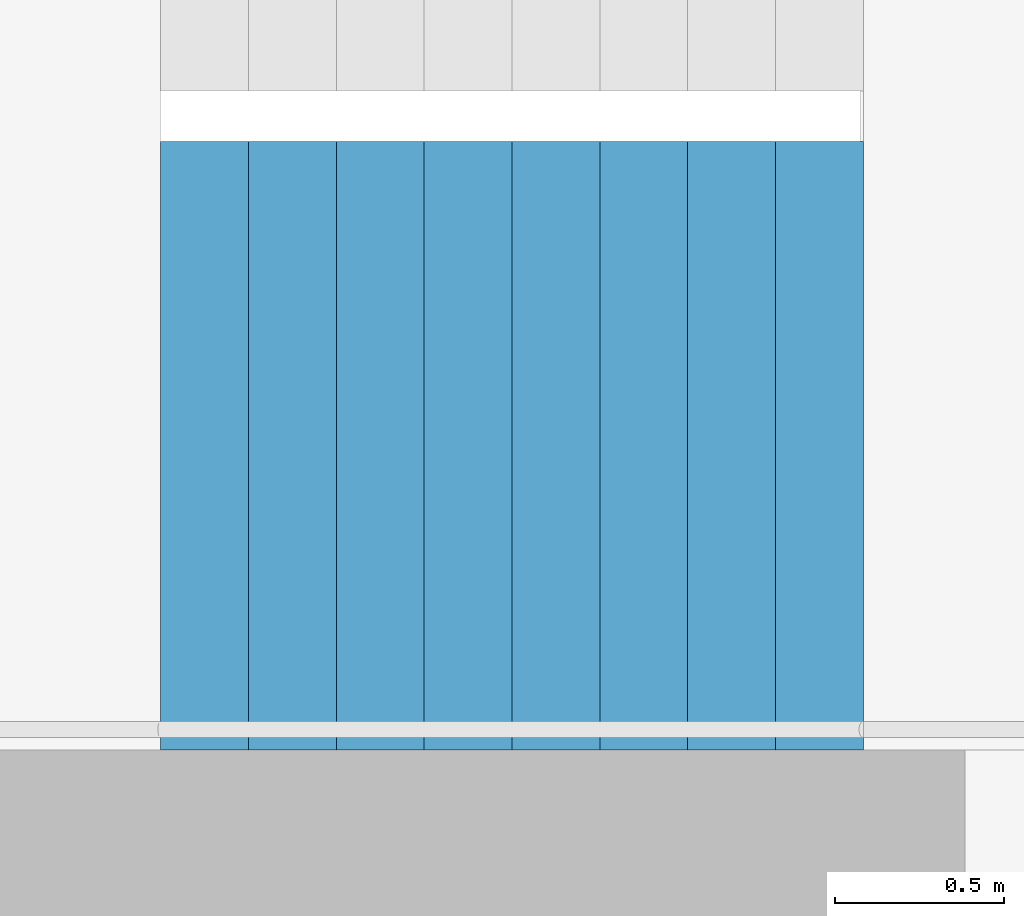
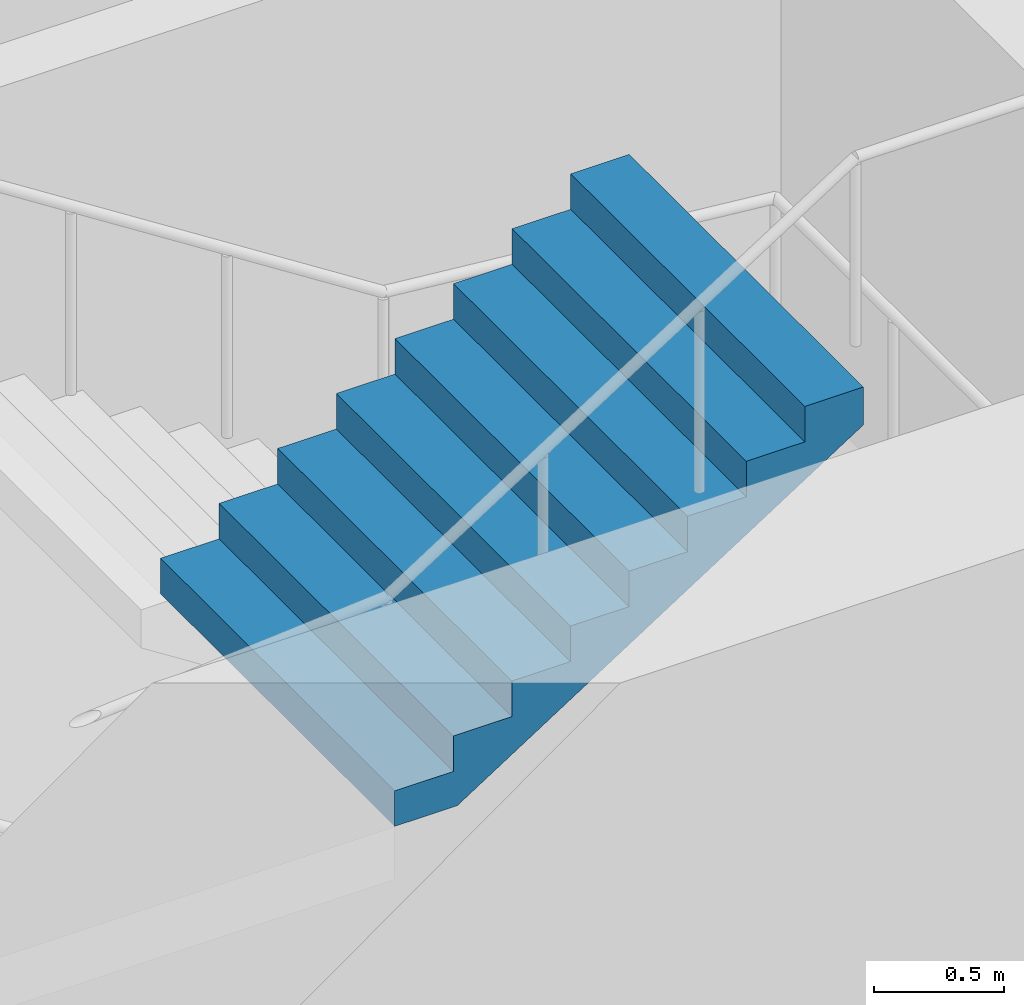
# One storey, part 19 of 35: 1 stair flight, 1 element without a shape of its own.
"""IFC4 building model written with IfcOpenShell, lengths in metres."""

from ifc_helpers import new_model, si_unit, direction, frame, origin, place, context, subcontext, project, spatial, triangles, material, type_object, element, aggregate, save


model = new_model("IFC4")

# Units and contexts
model_context = context("Model", 3, precision=1e-05, world=origin(), true_north=direction((0.0, 1.0)))
body_context = subcontext(model_context, "Body", "Model", "MODEL_VIEW")
ifc_project = project(units=[si_unit("LENGTHUNIT", "METRE"), si_unit("AREAUNIT", "SQUARE_METRE"), si_unit("VOLUMEUNIT", "CUBIC_METRE"), si_unit("PLANEANGLEUNIT", "RADIAN"), si_unit("MASSUNIT", "GRAM", prefix="KILO")], contexts=[model_context])

# Site, building, storey
site_placement = place(None, origin())
site = spatial("IfcSite", under=ifc_project, at=site_placement, CompositionType="ELEMENT")
building_placement = place(site_placement, origin())
building = spatial("IfcBuilding", under=site, at=building_placement, Name="Hakoniwa Tower and Hamabe Station Hall", CompositionType="ELEMENT")
storey_placement = place(building_placement, frame((0.0, 0.0, 264.60009765625)))
storey = spatial("IfcBuildingStorey", under=building, at=storey_placement, Name="L75", CompositionType="ELEMENT", Elevation=264.60009765625)

# Stair, stair flight
ifc_material_1 = material(Name="Concrete C40", Category="concrete")
stair_type = type_object("IfcStairType", Name="ESCAPE STAIR 1800", PredefinedType="HALF_TURN_STAIR", material=ifc_material_1)
stair_placement = place(storey_placement, origin())
stair = element("IfcStair", 1, at=stair_placement, inside=storey, type_object=stair_type, Name="Escape stair ST-2 L75", PredefinedType="HALF_TURN_STAIR")
ifc_material_2 = material(Name="Concrete C40", Category="concrete")
stair_flight_type = type_object("IfcStairFlightType", Name="STAIR FLIGHT 1800", PredefinedType="STRAIGHT", material=ifc_material_2)
stair_flight_placement = place(storey_placement, frame((-25.47998046875, -6.60009765625, 4.5), z_axis=(0.0, 0.0, 1.0), x_axis=(1.0, 0.0, 0.0)))
stair_flight = element("IfcStairFlight", 2, at=stair_flight_placement, type_object=stair_flight_type, Name="ST-2 flight 4", NumberOfRisers=9, NumberOfTreads=8, PredefinedType="STRAIGHT", RiserHeight=0.166666667, TreadLength=0.26, context=body_context, shape_type="Tessellation", body=[
    triangles([(0.0, 0.89990234375, 0.0), (0.260009765625, 0.89990234375, 0.0), (0.27783203125, 0.89990234375, 0.0), (0.52001953125, 0.89990234375, 0.1552734375), (0.780029296875, 0.89990234375, 0.322021484375), (1.0400390625, 0.89990234375, 0.488525390625), (1.300048828125, 0.89990234375, 0.6552734375), (1.56005859375, 0.89990234375, 0.822021484375), (1.820068359375, 0.89990234375, 0.988525390625), (2.080078125, 0.89990234375, 1.1552734375), (2.080078125, 0.89990234375, 1.333251953125), (1.820068359375, 0.89990234375, 1.333251953125), (1.820068359375, 0.89990234375, 1.166748046875), (1.56005859375, 0.89990234375, 1.166748046875), (1.56005859375, 0.89990234375, 1.0), (1.300048828125, 0.89990234375, 1.0), (1.300048828125, 0.89990234375, 0.833251953125), (1.0400390625, 0.89990234375, 0.833251953125), (1.0400390625, 0.89990234375, 0.666748046875), (0.780029296875, 0.89990234375, 0.666748046875), (0.780029296875, 0.89990234375, 0.5), (0.52001953125, 0.89990234375, 0.5), (0.52001953125, 0.89990234375, 0.333251953125), (0.27783203125, 0.89990234375, 0.333251953125), (0.260009765625, 0.89990234375, 0.333251953125), (0.260009765625, 0.89990234375, 0.166748046875), (0.0, 0.89990234375, 0.166748046875), (0.0, 0.06005859375, 0.0), (0.260009765625, 0.06005859375, 0.0), (0.27783203125, 0.06005859375, 0.0), (0.52001953125, 0.06005859375, 0.1552734375), (0.780029296875, 0.06005859375, 0.322021484375), (1.0400390625, 0.06005859375, 0.488525390625), (1.300048828125, 0.06005859375, 0.6552734375), (1.56005859375, 0.06005859375, 0.822021484375), (1.820068359375, 0.06005859375, 0.988525390625), (2.080078125, 0.06005859375, 1.1552734375), (2.080078125, 0.06005859375, 1.333251953125), (1.820068359375, 0.06005859375, 1.333251953125), (1.820068359375, 0.06005859375, 1.166748046875), (1.56005859375, 0.06005859375, 1.166748046875), (1.56005859375, 0.06005859375, 1.0), (1.300048828125, 0.06005859375, 1.0), (1.300048828125, 0.06005859375, 0.833251953125), (1.0400390625, 0.06005859375, 0.833251953125), (1.0400390625, 0.06005859375, 0.666748046875), (0.780029296875, 0.06005859375, 0.666748046875), (0.780029296875, 0.06005859375, 0.5), (0.52001953125, 0.06005859375, 0.5), (0.52001953125, 0.06005859375, 0.333251953125), (0.27783203125, 0.06005859375, 0.333251953125), (0.260009765625, 0.06005859375, 0.333251953125), (0.260009765625, 0.06005859375, 0.166748046875), (0.0, 0.06005859375, 0.166748046875), (0.0, 0.04296875, 0.0), (0.260009765625, 0.04296875, 0.0), (0.27783203125, 0.04296875, 0.0), (0.52001953125, 0.04296875, 0.1552734375), (0.780029296875, 0.04296875, 0.322021484375), (1.0400390625, 0.04296875, 0.488525390625), (1.300048828125, 0.04296875, 0.6552734375), (1.56005859375, 0.04296875, 0.822021484375), (1.820068359375, 0.04296875, 0.988525390625), (2.080078125, 0.04296875, 1.1552734375), (2.080078125, 0.04296875, 1.333251953125), (1.820068359375, 0.04296875, 1.333251953125), (1.820068359375, 0.04296875, 1.166748046875), (1.56005859375, 0.04296875, 1.166748046875), (1.56005859375, 0.04296875, 1.0), (1.300048828125, 0.04296875, 1.0), (1.300048828125, 0.04296875, 0.833251953125), (1.0400390625, 0.04296875, 0.833251953125), (1.0400390625, 0.04296875, 0.666748046875), (0.780029296875, 0.04296875, 0.666748046875), (0.780029296875, 0.04296875, 0.5), (0.52001953125, 0.04296875, 0.5), (0.52001953125, 0.04296875, 0.333251953125), (0.27783203125, 0.04296875, 0.333251953125), (0.260009765625, 0.04296875, 0.333251953125), (0.260009765625, 0.04296875, 0.166748046875), (0.0, 0.04296875, 0.166748046875), (0.0, 0.025634765625, 0.0), (0.260009765625, 0.025634765625, 0.0), (0.27783203125, 0.025634765625, 0.0), (0.52001953125, 0.025634765625, 0.1552734375), (0.780029296875, 0.025634765625, 0.322021484375), (1.0400390625, 0.025634765625, 0.488525390625), (1.300048828125, 0.025634765625, 0.6552734375), (1.56005859375, 0.025634765625, 0.822021484375), (1.820068359375, 0.025634765625, 0.988525390625), (2.080078125, 0.025634765625, 1.1552734375), (2.080078125, 0.025634765625, 1.333251953125), (1.820068359375, 0.025634765625, 1.333251953125), (1.820068359375, 0.025634765625, 1.166748046875), (1.56005859375, 0.025634765625, 1.166748046875), (1.56005859375, 0.025634765625, 1.0), (1.300048828125, 0.025634765625, 1.0), (1.300048828125, 0.025634765625, 0.833251953125), (1.0400390625, 0.025634765625, 0.833251953125), (1.0400390625, 0.025634765625, 0.666748046875), (0.780029296875, 0.025634765625, 0.666748046875), (0.780029296875, 0.025634765625, 0.5), (0.52001953125, 0.025634765625, 0.5), (0.52001953125, 0.025634765625, 0.333251953125), (0.27783203125, 0.025634765625, 0.333251953125), (0.260009765625, 0.025634765625, 0.333251953125), (0.260009765625, 0.025634765625, 0.166748046875), (0.0, 0.025634765625, 0.166748046875), (0.0, 0.008544921875, 0.0), (0.260009765625, 0.008544921875, 0.0), (0.27783203125, 0.008544921875, 0.0), (0.52001953125, 0.008544921875, 0.1552734375), (0.780029296875, 0.008544921875, 0.322021484375), (1.0400390625, 0.008544921875, 0.488525390625), (1.300048828125, 0.008544921875, 0.6552734375), (1.56005859375, 0.008544921875, 0.822021484375), (1.820068359375, 0.008544921875, 0.988525390625), (2.080078125, 0.008544921875, 1.1552734375), (2.080078125, 0.008544921875, 1.333251953125), (1.820068359375, 0.008544921875, 1.333251953125), (1.820068359375, 0.008544921875, 1.166748046875), (1.56005859375, 0.008544921875, 1.166748046875), (1.56005859375, 0.008544921875, 1.0), (1.300048828125, 0.008544921875, 1.0), (1.300048828125, 0.008544921875, 0.833251953125), (1.0400390625, 0.008544921875, 0.833251953125), (1.0400390625, 0.008544921875, 0.666748046875), (0.780029296875, 0.008544921875, 0.666748046875), (0.780029296875, 0.008544921875, 0.5), (0.52001953125, 0.008544921875, 0.5), (0.52001953125, 0.008544921875, 0.333251953125), (0.27783203125, 0.008544921875, 0.333251953125), (0.260009765625, 0.008544921875, 0.333251953125), (0.260009765625, 0.008544921875, 0.166748046875), (0.0, 0.008544921875, 0.166748046875), (0.0, -0.008544921875, 0.0), (0.260009765625, -0.008544921875, 0.0), (0.27783203125, -0.008544921875, 0.0), (0.52001953125, -0.008544921875, 0.1552734375), (0.780029296875, -0.008544921875, 0.322021484375), (1.0400390625, -0.008544921875, 0.488525390625), (1.300048828125, -0.008544921875, 0.6552734375), (1.56005859375, -0.008544921875, 0.822021484375), (1.820068359375, -0.008544921875, 0.988525390625), (2.080078125, -0.008544921875, 1.1552734375), (2.080078125, -0.008544921875, 1.333251953125), (1.820068359375, -0.008544921875, 1.333251953125), (1.820068359375, -0.008544921875, 1.166748046875), (1.56005859375, -0.008544921875, 1.166748046875), (1.56005859375, -0.008544921875, 1.0), (1.300048828125, -0.008544921875, 1.0), (1.300048828125, -0.008544921875, 0.833251953125), (1.0400390625, -0.008544921875, 0.833251953125), (1.0400390625, -0.008544921875, 0.666748046875), (0.780029296875, -0.008544921875, 0.666748046875), (0.780029296875, -0.008544921875, 0.5), (0.52001953125, -0.008544921875, 0.5), (0.52001953125, -0.008544921875, 0.333251953125), (0.27783203125, -0.008544921875, 0.333251953125), (0.260009765625, -0.008544921875, 0.333251953125), (0.260009765625, -0.008544921875, 0.166748046875), (0.0, -0.008544921875, 0.166748046875), (0.0, -0.025634765625, 0.0), (0.260009765625, -0.025634765625, 0.0), (0.27783203125, -0.025634765625, 0.0), (0.52001953125, -0.025634765625, 0.1552734375), (0.780029296875, -0.025634765625, 0.322021484375), (1.0400390625, -0.025634765625, 0.488525390625), (1.300048828125, -0.025634765625, 0.6552734375), (1.56005859375, -0.025634765625, 0.822021484375), (1.820068359375, -0.025634765625, 0.988525390625), (2.080078125, -0.025634765625, 1.1552734375), (2.080078125, -0.025634765625, 1.333251953125), (1.820068359375, -0.025634765625, 1.333251953125), (1.820068359375, -0.025634765625, 1.166748046875), (1.56005859375, -0.025634765625, 1.166748046875), (1.56005859375, -0.025634765625, 1.0), (1.300048828125, -0.025634765625, 1.0), (1.300048828125, -0.025634765625, 0.833251953125), (1.0400390625, -0.025634765625, 0.833251953125), (1.0400390625, -0.025634765625, 0.666748046875), (0.780029296875, -0.025634765625, 0.666748046875), (0.780029296875, -0.025634765625, 0.5), (0.52001953125, -0.025634765625, 0.5), (0.52001953125, -0.025634765625, 0.333251953125), (0.27783203125, -0.025634765625, 0.333251953125), (0.260009765625, -0.025634765625, 0.333251953125), (0.260009765625, -0.025634765625, 0.166748046875), (0.0, -0.025634765625, 0.166748046875), (0.0, -0.04296875, 0.0), (0.260009765625, -0.04296875, 0.0), (0.27783203125, -0.04296875, 0.0), (0.52001953125, -0.04296875, 0.1552734375), (0.780029296875, -0.04296875, 0.322021484375), (1.0400390625, -0.04296875, 0.488525390625), (1.300048828125, -0.04296875, 0.6552734375), (1.56005859375, -0.04296875, 0.822021484375), (1.820068359375, -0.04296875, 0.988525390625), (2.080078125, -0.04296875, 1.1552734375), (2.080078125, -0.04296875, 1.333251953125), (1.820068359375, -0.04296875, 1.333251953125), (1.820068359375, -0.04296875, 1.166748046875), (1.56005859375, -0.04296875, 1.166748046875), (1.56005859375, -0.04296875, 1.0), (1.300048828125, -0.04296875, 1.0), (1.300048828125, -0.04296875, 0.833251953125), (1.0400390625, -0.04296875, 0.833251953125), (1.0400390625, -0.04296875, 0.666748046875), (0.780029296875, -0.04296875, 0.666748046875), (0.780029296875, -0.04296875, 0.5), (0.52001953125, -0.04296875, 0.5), (0.52001953125, -0.04296875, 0.333251953125), (0.27783203125, -0.04296875, 0.333251953125), (0.260009765625, -0.04296875, 0.333251953125), (0.260009765625, -0.04296875, 0.166748046875), (0.0, -0.04296875, 0.166748046875), (0.0, -0.06005859375, 0.0), (0.260009765625, -0.06005859375, 0.0), (0.27783203125, -0.06005859375, 0.0), (0.52001953125, -0.06005859375, 0.1552734375), (0.780029296875, -0.06005859375, 0.322021484375), (1.0400390625, -0.06005859375, 0.488525390625), (1.300048828125, -0.06005859375, 0.6552734375), (1.56005859375, -0.06005859375, 0.822021484375), (1.820068359375, -0.06005859375, 0.988525390625), (2.080078125, -0.06005859375, 1.1552734375), (2.080078125, -0.06005859375, 1.333251953125), (1.820068359375, -0.06005859375, 1.333251953125), (1.820068359375, -0.06005859375, 1.166748046875), (1.56005859375, -0.06005859375, 1.166748046875), (1.56005859375, -0.06005859375, 1.0), (1.300048828125, -0.06005859375, 1.0), (1.300048828125, -0.06005859375, 0.833251953125), (1.0400390625, -0.06005859375, 0.833251953125), (1.0400390625, -0.06005859375, 0.666748046875), (0.780029296875, -0.06005859375, 0.666748046875), (0.780029296875, -0.06005859375, 0.5), (0.52001953125, -0.06005859375, 0.5), (0.52001953125, -0.06005859375, 0.333251953125), (0.27783203125, -0.06005859375, 0.333251953125), (0.260009765625, -0.06005859375, 0.333251953125), (0.260009765625, -0.06005859375, 0.166748046875), (0.0, -0.06005859375, 0.166748046875), (0.0, -0.89990234375, 0.0), (0.260009765625, -0.89990234375, 0.0), (0.27783203125, -0.89990234375, 0.0), (0.52001953125, -0.89990234375, 0.1552734375), (0.780029296875, -0.89990234375, 0.322021484375), (1.0400390625, -0.89990234375, 0.488525390625), (1.300048828125, -0.89990234375, 0.6552734375), (1.56005859375, -0.89990234375, 0.822021484375), (1.820068359375, -0.89990234375, 0.988525390625), (2.080078125, -0.89990234375, 1.1552734375), (2.080078125, -0.89990234375, 1.333251953125), (1.820068359375, -0.89990234375, 1.333251953125), (1.820068359375, -0.89990234375, 1.166748046875), (1.56005859375, -0.89990234375, 1.166748046875), (1.56005859375, -0.89990234375, 1.0), (1.300048828125, -0.89990234375, 1.0), (1.300048828125, -0.89990234375, 0.833251953125), (1.0400390625, -0.89990234375, 0.833251953125), (1.0400390625, -0.89990234375, 0.666748046875), (0.780029296875, -0.89990234375, 0.666748046875), (0.780029296875, -0.89990234375, 0.5), (0.52001953125, -0.89990234375, 0.5), (0.52001953125, -0.89990234375, 0.333251953125), (0.27783203125, -0.89990234375, 0.333251953125), (0.260009765625, -0.89990234375, 0.333251953125), (0.260009765625, -0.89990234375, 0.166748046875), (0.0, -0.89990234375, 0.166748046875)], [[2, 27, 26], [245, 269, 270], [2, 1, 27], [245, 270, 244], [3, 25, 24], [246, 267, 268], [3, 26, 25], [246, 268, 269], [3, 2, 26], [246, 269, 245], [4, 24, 23], [247, 266, 267], [4, 3, 24], [247, 267, 246], [5, 22, 21], [248, 264, 265], [5, 23, 22], [248, 265, 266], [5, 4, 23], [248, 266, 247], [6, 20, 19], [249, 262, 263], [6, 21, 20], [249, 263, 264], [6, 5, 21], [249, 264, 248], [7, 18, 17], [250, 260, 261], [7, 19, 18], [250, 261, 262], [7, 6, 19], [250, 262, 249], [8, 16, 15], [251, 258, 259], [8, 17, 16], [251, 259, 260], [8, 7, 17], [251, 260, 250], [9, 14, 13], [252, 256, 257], [9, 15, 14], [252, 257, 258], [9, 8, 15], [252, 258, 251], [10, 12, 11], [253, 254, 255], [10, 13, 12], [253, 255, 256], [10, 9, 13], [253, 256, 252], [1, 2, 29], [1, 29, 28], [28, 29, 56], [28, 56, 55], [55, 56, 83], [55, 83, 82], [82, 83, 110], [82, 110, 109], [109, 110, 137], [109, 137, 136], [136, 137, 164], [136, 164, 163], [163, 164, 191], [163, 191, 190], [190, 191, 218], [190, 218, 217], [217, 218, 245], [217, 245, 244], [2, 3, 30], [2, 30, 29], [29, 30, 57], [29, 57, 56], [56, 57, 84], [56, 84, 83], [83, 84, 111], [83, 111, 110], [110, 111, 138], [110, 138, 137], [137, 138, 165], [137, 165, 164], [164, 165, 192], [164, 192, 191], [191, 192, 219], [191, 219, 218], [218, 219, 246], [218, 246, 245], [3, 4, 31], [3, 31, 30], [30, 31, 58], [30, 58, 57], [57, 58, 85], [57, 85, 84], [84, 85, 112], [84, 112, 111], [111, 112, 139], [111, 139, 138], [138, 139, 166], [138, 166, 165], [165, 166, 193], [165, 193, 192], [192, 193, 220], [192, 220, 219], [219, 220, 247], [219, 247, 246], [4, 5, 32], [4, 32, 31], [31, 32, 59], [31, 59, 58], [58, 59, 86], [58, 86, 85], [85, 86, 113], [85, 113, 112], [112, 113, 140], [112, 140, 139], [139, 140, 167], [139, 167, 166], [166, 167, 194], [166, 194, 193], [193, 194, 221], [193, 221, 220], [220, 221, 248], [220, 248, 247], [5, 6, 33], [5, 33, 32], [32, 33, 60], [32, 60, 59], [59, 60, 87], [59, 87, 86], [86, 87, 114], [86, 114, 113], [113, 114, 141], [113, 141, 140], [140, 141, 168], [140, 168, 167], [167, 168, 195], [167, 195, 194], [194, 195, 222], [194, 222, 221], [221, 222, 249], [221, 249, 248], [6, 7, 34], [6, 34, 33], [33, 34, 61], [33, 61, 60], [60, 61, 88], [60, 88, 87], [87, 88, 115], [87, 115, 114], [114, 115, 142], [114, 142, 141], [141, 142, 169], [141, 169, 168], [168, 169, 196], [168, 196, 195], [195, 196, 223], [195, 223, 222], [222, 223, 250], [222, 250, 249], [7, 8, 35], [7, 35, 34], [34, 35, 62], [34, 62, 61], [61, 62, 89], [61, 89, 88], [88, 89, 116], [88, 116, 115], [115, 116, 143], [115, 143, 142], [142, 143, 170], [142, 170, 169], [169, 170, 197], [169, 197, 196], [196, 197, 224], [196, 224, 223], [223, 224, 251], [223, 251, 250], [8, 9, 36], [8, 36, 35], [35, 36, 63], [35, 63, 62], [62, 63, 90], [62, 90, 89], [89, 90, 117], [89, 117, 116], [116, 117, 144], [116, 144, 143], [143, 144, 171], [143, 171, 170], [170, 171, 198], [170, 198, 197], [197, 198, 225], [197, 225, 224], [224, 225, 252], [224, 252, 251], [9, 10, 37], [9, 37, 36], [36, 37, 64], [36, 64, 63], [63, 64, 91], [63, 91, 90], [90, 91, 118], [90, 118, 117], [117, 118, 145], [117, 145, 144], [144, 145, 172], [144, 172, 171], [171, 172, 199], [171, 199, 198], [198, 199, 226], [198, 226, 225], [225, 226, 253], [225, 253, 252], [10, 11, 38], [10, 38, 37], [37, 38, 65], [37, 65, 64], [64, 65, 92], [64, 92, 91], [91, 92, 119], [91, 119, 118], [118, 119, 146], [118, 146, 145], [145, 146, 173], [145, 173, 172], [172, 173, 200], [172, 200, 199], [199, 200, 227], [199, 227, 226], [226, 227, 254], [226, 254, 253], [11, 12, 39], [11, 39, 38], [38, 39, 66], [38, 66, 65], [65, 66, 93], [65, 93, 92], [92, 93, 120], [92, 120, 119], [119, 120, 147], [119, 147, 146], [146, 147, 174], [146, 174, 173], [173, 174, 201], [173, 201, 200], [200, 201, 228], [200, 228, 227], [227, 228, 255], [227, 255, 254], [12, 13, 40], [12, 40, 39], [39, 40, 67], [39, 67, 66], [66, 67, 94], [66, 94, 93], [93, 94, 121], [93, 121, 120], [120, 121, 148], [120, 148, 147], [147, 148, 175], [147, 175, 174], [174, 175, 202], [174, 202, 201], [201, 202, 229], [201, 229, 228], [228, 229, 256], [228, 256, 255], [13, 14, 41], [13, 41, 40], [40, 41, 68], [40, 68, 67], [67, 68, 95], [67, 95, 94], [94, 95, 122], [94, 122, 121], [121, 122, 149], [121, 149, 148], [148, 149, 176], [148, 176, 175], [175, 176, 203], [175, 203, 202], [202, 203, 230], [202, 230, 229], [229, 230, 257], [229, 257, 256], [14, 15, 42], [14, 42, 41], [41, 42, 69], [41, 69, 68], [68, 69, 96], [68, 96, 95], [95, 96, 123], [95, 123, 122], [122, 123, 150], [122, 150, 149], [149, 150, 177], [149, 177, 176], [176, 177, 204], [176, 204, 203], [203, 204, 231], [203, 231, 230], [230, 231, 258], [230, 258, 257], [15, 16, 43], [15, 43, 42], [42, 43, 70], [42, 70, 69], [69, 70, 97], [69, 97, 96], [96, 97, 124], [96, 124, 123], [123, 124, 151], [123, 151, 150], [150, 151, 178], [150, 178, 177], [177, 178, 205], [177, 205, 204], [204, 205, 232], [204, 232, 231], [231, 232, 259], [231, 259, 258], [16, 17, 44], [16, 44, 43], [43, 44, 71], [43, 71, 70], [70, 71, 98], [70, 98, 97], [97, 98, 125], [97, 125, 124], [124, 125, 152], [124, 152, 151], [151, 152, 179], [151, 179, 178], [178, 179, 206], [178, 206, 205], [205, 206, 233], [205, 233, 232], [232, 233, 260], [232, 260, 259], [17, 18, 45], [17, 45, 44], [44, 45, 72], [44, 72, 71], [71, 72, 99], [71, 99, 98], [98, 99, 126], [98, 126, 125], [125, 126, 153], [125, 153, 152], [152, 153, 180], [152, 180, 179], [179, 180, 207], [179, 207, 206], [206, 207, 234], [206, 234, 233], [233, 234, 261], [233, 261, 260], [18, 19, 46], [18, 46, 45], [45, 46, 73], [45, 73, 72], [72, 73, 100], [72, 100, 99], [99, 100, 127], [99, 127, 126], [126, 127, 154], [126, 154, 153], [153, 154, 181], [153, 181, 180], [180, 181, 208], [180, 208, 207], [207, 208, 235], [207, 235, 234], [234, 235, 262], [234, 262, 261], [19, 20, 47], [19, 47, 46], [46, 47, 74], [46, 74, 73], [73, 74, 101], [73, 101, 100], [100, 101, 128], [100, 128, 127], [127, 128, 155], [127, 155, 154], [154, 155, 182], [154, 182, 181], [181, 182, 209], [181, 209, 208], [208, 209, 236], [208, 236, 235], [235, 236, 263], [235, 263, 262], [20, 21, 48], [20, 48, 47], [47, 48, 75], [47, 75, 74], [74, 75, 102], [74, 102, 101], [101, 102, 129], [101, 129, 128], [128, 129, 156], [128, 156, 155], [155, 156, 183], [155, 183, 182], [182, 183, 210], [182, 210, 209], [209, 210, 237], [209, 237, 236], [236, 237, 264], [236, 264, 263], [21, 22, 49], [21, 49, 48], [48, 49, 76], [48, 76, 75], [75, 76, 103], [75, 103, 102], [102, 103, 130], [102, 130, 129], [129, 130, 157], [129, 157, 156], [156, 157, 184], [156, 184, 183], [183, 184, 211], [183, 211, 210], [210, 211, 238], [210, 238, 237], [237, 238, 265], [237, 265, 264], [22, 23, 50], [22, 50, 49], [49, 50, 77], [49, 77, 76], [76, 77, 104], [76, 104, 103], [103, 104, 131], [103, 131, 130], [130, 131, 158], [130, 158, 157], [157, 158, 185], [157, 185, 184], [184, 185, 212], [184, 212, 211], [211, 212, 239], [211, 239, 238], [238, 239, 266], [238, 266, 265], [23, 24, 51], [23, 51, 50], [50, 51, 78], [50, 78, 77], [77, 78, 105], [77, 105, 104], [104, 105, 132], [104, 132, 131], [131, 132, 159], [131, 159, 158], [158, 159, 186], [158, 186, 185], [185, 186, 213], [185, 213, 212], [212, 213, 240], [212, 240, 239], [239, 240, 267], [239, 267, 266], [24, 25, 52], [24, 52, 51], [51, 52, 79], [51, 79, 78], [78, 79, 106], [78, 106, 105], [105, 106, 133], [105, 133, 132], [132, 133, 160], [132, 160, 159], [159, 160, 187], [159, 187, 186], [186, 187, 214], [186, 214, 213], [213, 214, 241], [213, 241, 240], [240, 241, 268], [240, 268, 267], [25, 26, 53], [25, 53, 52], [52, 53, 80], [52, 80, 79], [79, 80, 107], [79, 107, 106], [106, 107, 134], [106, 134, 133], [133, 134, 161], [133, 161, 160], [160, 161, 188], [160, 188, 187], [187, 188, 215], [187, 215, 214], [214, 215, 242], [214, 242, 241], [241, 242, 269], [241, 269, 268], [26, 27, 54], [26, 54, 53], [53, 54, 81], [53, 81, 80], [80, 81, 108], [80, 108, 107], [107, 108, 135], [107, 135, 134], [134, 135, 162], [134, 162, 161], [161, 162, 189], [161, 189, 188], [188, 189, 216], [188, 216, 215], [215, 216, 243], [215, 243, 242], [242, 243, 270], [242, 270, 269], [27, 1, 28], [27, 28, 54], [54, 28, 55], [54, 55, 81], [81, 55, 82], [81, 82, 108], [108, 82, 109], [108, 109, 135], [135, 109, 136], [135, 136, 162], [162, 136, 163], [162, 163, 189], [189, 163, 190], [189, 190, 216], [216, 190, 217], [216, 217, 243], [243, 217, 244], [243, 244, 270]], closed=True),
])
aggregate(stair, [stair_flight])

save(model, "model.ifc")
